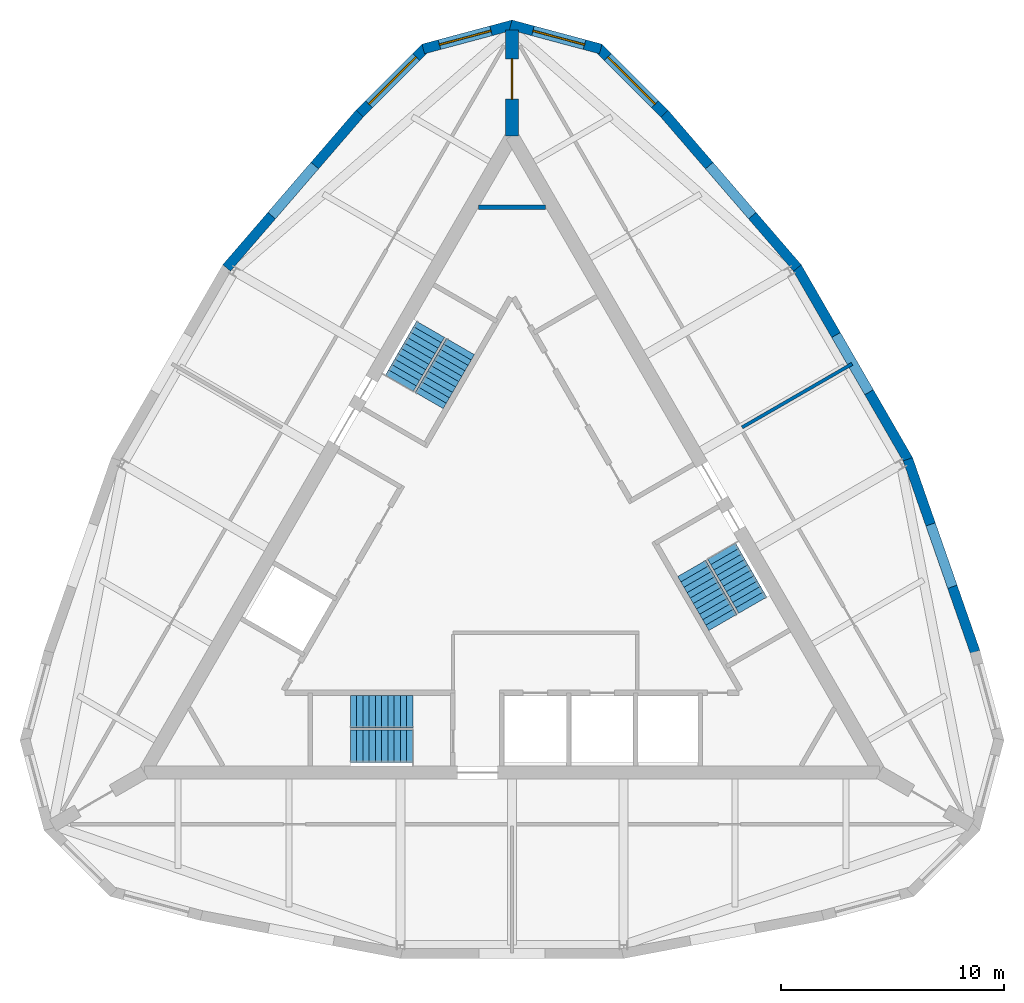
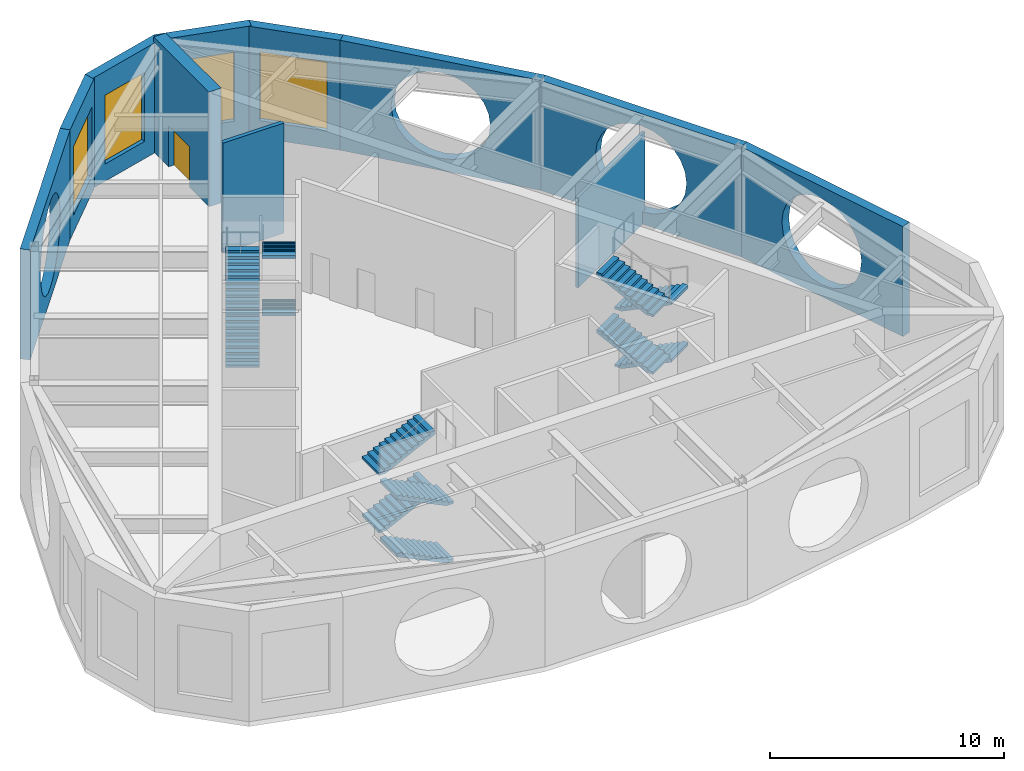
# One storey, part 4 of 5: 12 stair flights, 11 walls, 4 windows, 1 door, 5 openings, 3 elements without a shape of their own.
"""IFC4 building model written with IfcOpenShell, lengths in metres."""

from ifc_helpers import new_model, si_unit, direction, frame, frame_2d, origin, place, context, subcontext, project, spatial, polyline, rectangle, outline, extrude, material, layer, layer_set, type_object, element, fill, aggregate, save


model = new_model("IFC4")

# Units and contexts
model_context = context("Model", 3, precision=1e-05, world=origin(), true_north=direction((0.0, 1.0)))
body_context = subcontext(model_context, "Body", "Model", "MODEL_VIEW")
ifc_project = project(units=[si_unit("LENGTHUNIT", "METRE"), si_unit("AREAUNIT", "SQUARE_METRE"), si_unit("VOLUMEUNIT", "CUBIC_METRE"), si_unit("PLANEANGLEUNIT", "RADIAN"), si_unit("MASSUNIT", "GRAM", prefix="KILO")], contexts=[model_context])

# Site, building, storey
site_placement = place(None, origin())
site = spatial("IfcSite", under=ifc_project, at=site_placement, CompositionType="ELEMENT")
building_placement = place(site_placement, origin())
building = spatial("IfcBuilding", under=site, at=building_placement, Name="Trikona Tower", CompositionType="ELEMENT")
storey_placement = place(building_placement, frame((0.0, 0.0, 297.800048828125)))
storey = spatial("IfcBuildingStorey", under=building, at=storey_placement, Name="L77", CompositionType="ELEMENT", Elevation=297.800048828125)

# Wall, opening, window
ifc_material_1 = material(Name="Brick-faced precast concrete", Category="masonry")
ifc_layer_1 = layer(ifc_material_1, 0.449951171875)
ifc_layer_set_1 = layer_set([ifc_layer_1], Name="Brick-faced corner wall 450")
wall_type_1 = type_object("IfcWallType", Name="Brick-faced corner wall 450", PredefinedType="SOLIDWALL", material=ifc_layer_set_1)
wall_1_placement = place(storey_placement, frame((6.8408203125, 20.048095703125, 0.0), z_axis=(0.0, 0.0, 1.0), x_axis=(-0.707106781187, 0.707106781187, 0.0)))
wall_1 = element("IfcWall", 1, at=wall_1_placement, inside=storey, type_object=wall_type_1, Name="External wall L77-10", PredefinedType="SOLIDWALL", context=body_context, shape_type="SweptSolid", body=[
    extrude(rectangle(XDim=4.183837890625, YDim=0.449951171875, at=frame_2d((2.091796875, 0.0))), origin(), (0.0, 0.0, 1.0), 5.75),
])
opening_1_placement = place(wall_1_placement, frame((0.592041015625, 0.0, 0.89990234375)))
opening_1 = element("IfcOpeningElement", 2, at=opening_1_placement, cuts=wall_1, Name="Opening W3036", PredefinedType="OPENING", context=body_context, shape_type="SweptSolid", body=[
    extrude(rectangle(XDim=3.0, YDim=3.60009765625, at=frame_2d((1.5, 1.800048828125))), frame((0.0, 0.23486328125, 0.0), z_axis=(0.0, -1.0, 0.0), x_axis=(1.0, 0.0, 0.0)), (0.0, 0.0, 1.0), 0.469970703125),
])
ifc_material_2 = material(Name="Aluminium-framed double glazing", Category="aluminium")
window_type_1 = type_object("IfcWindowType", Name="Window 3000x3600", PartitioningType="SINGLE_PANEL", PredefinedType="WINDOW", material=ifc_material_2)
window_1_placement = place(opening_1_placement, origin())
window_1 = element("IfcWindow", 3, at=window_1_placement, inside=storey, type_object=window_type_1, Name="Window L77-CTW", OverallHeight=3.60009765625, OverallWidth=3.0, PartitioningType="SINGLE_PANEL", PredefinedType="WINDOW", context=body_context, shape_type="SweptSolid", body=[
    extrude(rectangle(XDim=3.0, YDim=3.60009765625, at=frame_2d((1.5, 1.800048828125))), frame((0.0, 0.030029296875, 0.0), z_axis=(0.0, -1.0, 0.0), x_axis=(1.0, 0.0, 0.0)), (0.0, 0.0, 1.0), 0.06005859375),
])
fill(opening_1, window_1)

wall_2_placement = place(storey_placement, frame((3.9833984375, 22.948486328125, 0.0), z_axis=(0.0, 0.0, 1.0), x_axis=(-0.965920442324, 0.258839137498, 0.0)))
wall_2 = element("IfcWall", 4, at=wall_2_placement, inside=storey, type_object=wall_type_1, Name="External wall L77-11", PredefinedType="SOLIDWALL", context=body_context, shape_type="SweptSolid", body=[
    extrude(outline(polyline([(4.18408203125, 0.22509765625), (4.124267578125, 0.22509765625), (3.77783203125, 0.132080078125), (3.753173828125, 0.22509765625), (0.0, 0.22509765625), (0.0, -0.22509765625), (4.18408203125, -0.22509765625), (4.18408203125, 0.22509765625)])), origin(), (0.0, 0.0, 1.0), 5.75),
])
opening_2_placement = place(wall_2_placement, frame((0.75146484375, 0.0, 0.89990234375)))
opening_2 = element("IfcOpeningElement", 5, at=opening_2_placement, cuts=wall_2, Name="Opening W2436", PredefinedType="OPENING", context=body_context, shape_type="SweptSolid", body=[
    extrude(rectangle(XDim=2.39990234375, YDim=3.60009765625, at=frame_2d((1.199951171875, 1.800048828125))), frame((0.0, 0.23486328125, 0.0), z_axis=(0.0, -1.0, 0.0), x_axis=(1.0, 0.0, 0.0)), (0.0, 0.0, 1.0), 0.469970703125),
])
ifc_material_3 = material(Name="Aluminium-framed double glazing", Category="aluminium")
window_type_2 = type_object("IfcWindowType", Name="Window 2400x3600", PartitioningType="SINGLE_PANEL", PredefinedType="WINDOW", material=ifc_material_3)
window_2_placement = place(opening_2_placement, origin())
window_2 = element("IfcWindow", 6, at=window_2_placement, inside=storey, type_object=window_type_2, Name="Window L77-CTW", OverallHeight=3.60009765625, OverallWidth=2.39990234375, PartitioningType="SINGLE_PANEL", PredefinedType="WINDOW", context=body_context, shape_type="SweptSolid", body=[
    extrude(rectangle(XDim=2.39990234375, YDim=3.60009765625, at=frame_2d((1.199951171875, 1.800048828125))), frame((0.0, 0.030029296875, 0.0), z_axis=(0.0, -1.0, 0.0), x_axis=(1.0, 0.0, 0.0)), (0.0, 0.0, 1.0), 0.06005859375),
])
fill(opening_2, window_2)

wall_3_placement = place(storey_placement, frame((0.05810546875, 24.031494140625, 0.0), z_axis=(0.0, 0.0, 1.0), x_axis=(-0.965920442324, -0.258839137498, 0.0)))
wall_3 = element("IfcWall", 7, at=wall_3_placement, inside=storey, type_object=wall_type_1, Name="External wall L77-12", PredefinedType="SOLIDWALL", context=body_context, shape_type="SweptSolid", body=[
    extrude(outline(polyline([(4.18408203125, 0.22509765625), (0.430908203125, 0.22509765625), (0.40625, 0.132080078125), (0.059814453125, 0.22509765625), (0.0, 0.22509765625), (0.0, -0.22509765625), (4.18408203125, -0.22509765625), (4.18408203125, 0.22509765625)])), origin(), (0.0, 0.0, 1.0), 5.75),
])
opening_3_placement = place(wall_3_placement, frame((1.03271484375, 0.0, 0.89990234375)))
opening_3 = element("IfcOpeningElement", 8, at=opening_3_placement, cuts=wall_3, Name="Opening W2436", PredefinedType="OPENING", context=body_context, shape_type="SweptSolid", body=[
    extrude(rectangle(XDim=2.39990234375, YDim=3.60009765625, at=frame_2d((1.199951171875, 1.800048828125))), frame((0.0, 0.23486328125, 0.0), z_axis=(0.0, -1.0, 0.0), x_axis=(1.0, 0.0, 0.0)), (0.0, 0.0, 1.0), 0.469970703125),
])
window_3_placement = place(opening_3_placement, origin())
window_3 = element("IfcWindow", 9, at=window_3_placement, inside=storey, type_object=window_type_2, Name="Window L77-WT2", OverallHeight=3.60009765625, OverallWidth=2.39990234375, PartitioningType="SINGLE_PANEL", PredefinedType="WINDOW", context=body_context, shape_type="SweptSolid", body=[
    extrude(rectangle(XDim=2.39990234375, YDim=3.60009765625, at=frame_2d((1.199951171875, 1.800048828125))), frame((0.0, 0.030029296875, 0.0), z_axis=(0.0, -1.0, 0.0), x_axis=(1.0, 0.0, 0.0)), (0.0, 0.0, 1.0), 0.06005859375),
])
fill(opening_3, window_3)

wall_4_placement = place(storey_placement, frame((-3.88232421875, 23.006591796875, 0.0), z_axis=(0.0, 0.0, 1.0), x_axis=(-0.707106781187, -0.707106781187, 0.0)))
wall_4 = element("IfcWall", 10, at=wall_4_placement, inside=storey, type_object=wall_type_1, Name="External wall L77-13", PredefinedType="SOLIDWALL", context=body_context, shape_type="SweptSolid", body=[
    extrude(rectangle(XDim=4.183837890625, YDim=0.449951171875, at=frame_2d((2.091796875, 0.0))), origin(), (0.0, 0.0, 1.0), 5.75),
])
opening_4_placement = place(wall_4_placement, frame((0.592041015625, 0.0, 0.89990234375)))
opening_4 = element("IfcOpeningElement", 11, at=opening_4_placement, cuts=wall_4, Name="Opening W3036", PredefinedType="OPENING", context=body_context, shape_type="SweptSolid", body=[
    extrude(rectangle(XDim=3.0, YDim=3.60009765625, at=frame_2d((1.5, 1.800048828125))), frame((0.0, 0.23486328125, 0.0), z_axis=(0.0, -1.0, 0.0), x_axis=(1.0, 0.0, 0.0)), (0.0, 0.0, 1.0), 0.469970703125),
])
window_4_placement = place(opening_4_placement, origin())
window_4 = element("IfcWindow", 12, at=window_4_placement, inside=storey, type_object=window_type_1, Name="Window L77-WT2", OverallHeight=3.60009765625, OverallWidth=3.0, PartitioningType="SINGLE_PANEL", PredefinedType="WINDOW", context=body_context, shape_type="SweptSolid", body=[
    extrude(rectangle(XDim=3.0, YDim=3.60009765625, at=frame_2d((1.5, 1.800048828125))), frame((0.0, 0.030029296875, 0.0), z_axis=(0.0, -1.0, 0.0), x_axis=(1.0, 0.0, 0.0)), (0.0, 0.0, 1.0), 0.06005859375),
])
fill(opening_4, window_4)

# Walls
ifc_material_4 = material(Name="Brick-faced precast concrete with louvred openings", Category="masonry")
ifc_layer_2 = layer(ifc_material_4, 0.449951171875)
ifc_layer_set_2 = layer_set([ifc_layer_2], Name="Brick-faced plant wall 450")
wall_type_2 = type_object("IfcWallType", Name="Brick-faced plant wall 450", PredefinedType="SOLIDWALL", material=ifc_layer_set_2)
wall_5_placement = place(storey_placement, frame((20.78759765625, -4.11572265625, 0.0), z_axis=(0.0, 0.0, 1.0), x_axis=(-0.329547852357, 0.944138873793, 0.0)))
element("IfcWall", 13, at=wall_5_placement, inside=storey, type_object=wall_type_2, Name="External wall L77-07", PredefinedType="SOLIDWALL", context=body_context, shape_type="SweptSolid", body=[
    extrude(outline(polyline([(0.0, 0.0), (9.1611328125, 0.0), (9.1611328125, 5.75), (0.0, 5.75), (0.0, 0.0)]), holes=[polyline([(6.83056640625, 2.875), (6.75390625, 3.457275390625), (6.529052734375, 4.0), (6.17138671875, 4.466064453125), (5.70556640625, 4.823486328125), (5.162841796875, 5.04833984375), (4.58056640625, 5.125), (3.998291015625, 5.04833984375), (3.45556640625, 4.823486328125), (2.989501953125, 4.466064453125), (2.632080078125, 4.0), (2.4072265625, 3.457275390625), (2.33056640625, 2.875), (2.4072265625, 2.292724609375), (2.632080078125, 1.75), (2.989501953125, 1.283935546875), (3.45556640625, 0.92626953125), (3.998291015625, 0.70166015625), (4.58056640625, 0.625), (5.162841796875, 0.70166015625), (5.70556640625, 0.92626953125), (6.17138671875, 1.283935546875), (6.529052734375, 1.75), (6.75390625, 2.292724609375), (6.83056640625, 2.875)])]), frame((0.0, 0.22509765625, 0.0), z_axis=(0.0, -1.0, 0.0), x_axis=(1.0, 0.0, 0.0)), (0.0, 0.0, 1.0), 0.449951171875),
])
wall_6_placement = place(storey_placement, frame((17.785888671875, 4.495361328125, 0.0), z_axis=(0.0, 0.0, 1.0), x_axis=(-0.500004234368, 0.866022959057, 0.0)))
element("IfcWall", 14, at=wall_6_placement, inside=storey, type_object=wall_type_2, Name="External wall L77-08", PredefinedType="SOLIDWALL", context=body_context, shape_type="SweptSolid", body=[
    extrude(outline(polyline([(0.0, 0.0), (10.0, 0.0), (10.0, 5.75), (0.0, 5.75), (0.0, 0.0)]), holes=[polyline([(7.25, 2.875), (7.17333984375, 3.457275390625), (6.948486328125, 4.0), (6.591064453125, 4.466064453125), (6.125, 4.823486328125), (5.582275390625, 5.04833984375), (5.0, 5.125), (4.41748046875, 5.04833984375), (3.875, 4.823486328125), (3.408935546875, 4.466064453125), (3.051513671875, 4.0), (2.82666015625, 3.457275390625), (2.75, 2.875), (2.82666015625, 2.292724609375), (3.051513671875, 1.75), (3.408935546875, 1.283935546875), (3.875, 0.92626953125), (4.41748046875, 0.70166015625), (5.0, 0.625), (5.582275390625, 0.70166015625), (6.125, 0.92626953125), (6.591064453125, 1.283935546875), (6.948486328125, 1.75), (7.17333984375, 2.292724609375), (7.25, 2.875)])]), frame((0.0, 0.22509765625, 0.0), z_axis=(0.0, -1.0, 0.0), x_axis=(1.0, 0.0, 0.0)), (0.0, 0.0, 1.0), 0.449951171875),
])
for number, where, z_axis, x_axis, name in (
    (15, (12.810546875, 13.12109375, 0.0), (0.0, 0.0, 1.0), (-0.652869504194, 0.757470402388, 0.0), "External wall L77-09"),
    (16, (-6.82958984375, 20.060302734375, 0.0), (0.0, 0.0, 1.0), (-0.652869504194, -0.757470402388, 0.0), "External wall L77-14"),
):
    element("IfcWall", number, at=place(storey_placement, frame(where, z_axis=z_axis, x_axis=x_axis)), inside=storey, type_object=wall_type_2, Name=name, PredefinedType="SOLIDWALL", context=body_context, shape_type="SweptSolid", body=[
        extrude(outline(polyline([(0.0, 0.0), (9.1611328125, 0.0), (9.1611328125, 5.75), (0.0, 5.75), (0.0, 0.0)]), holes=[polyline([(6.83056640625, 2.875), (6.75390625, 3.457275390625), (6.529052734375, 4.0), (6.17138671875, 4.466064453125), (5.70556640625, 4.823486328125), (5.162841796875, 5.04833984375), (4.58056640625, 5.125), (3.998291015625, 5.04833984375), (3.45556640625, 4.823486328125), (2.989501953125, 4.466064453125), (2.632080078125, 4.0), (2.4072265625, 3.457275390625), (2.33056640625, 2.875), (2.4072265625, 2.292724609375), (2.632080078125, 1.75), (2.989501953125, 1.283935546875), (3.45556640625, 0.92626953125), (3.998291015625, 0.70166015625), (4.58056640625, 0.625), (5.162841796875, 0.70166015625), (5.70556640625, 0.92626953125), (6.17138671875, 1.283935546875), (6.529052734375, 1.75), (6.75390625, 2.292724609375), (6.83056640625, 2.875)])]), frame((0.0, 0.22509765625, 0.0), z_axis=(0.0, -1.0, 0.0), x_axis=(1.0, 0.0, 0.0)), (0.0, 0.0, 1.0), 0.449951171875),
    ])

# Wall, opening, door
ifc_material_5 = material(Name="Concrete f'c 10000 psi", Category="concrete")
ifc_layer_3 = layer(ifc_material_5, 0.60009765625)
ifc_layer_set_3 = layer_set([ifc_layer_3], Name="Buttress wall 600")
wall_type_3 = type_object("IfcWallType", Name="Buttress wall 600", PredefinedType="SHEAR", material=ifc_layer_set_3)
wall_7_placement = place(storey_placement, frame((0.0, 19.052490234375, 0.0), z_axis=(0.0, 0.0, 1.0), x_axis=(0.0, 1.0, 0.0)))
wall_7 = element("IfcWall", 17, at=wall_7_placement, inside=storey, type_object=wall_type_3, Name="Buttress wall 2", PredefinedType="SHEAR", context=body_context, shape_type="SweptSolid", body=[
    extrude(rectangle(XDim=4.74609375, YDim=0.60009765625, at=frame_2d((2.373046875, 0.0))), origin(), (0.0, 0.0, 1.0), 6.0),
])
opening_5_placement = place(wall_7_placement, frame((1.64990234375, 0.0, 0.0)))
opening_5 = element("IfcOpeningElement", 18, at=opening_5_placement, cuts=wall_7, Name="Opening D10", PredefinedType="OPENING", context=body_context, shape_type="SweptSolid", body=[
    extrude(rectangle(XDim=1.800048828125, YDim=2.1298828125, at=frame_2d((0.89990234375, 1.06494140625))), frame((0.0, 0.31005859375, 0.0), z_axis=(0.0, -1.0, 0.0), x_axis=(1.0, 0.0, 0.0)), (0.0, 0.0, 1.0), 0.6201171875),
])
ifc_material_6 = material(Name="Hollow metal door and frame", Category="steel")
door_type = type_object("IfcDoorType", Name="Cross-corridor door pair 1800x2130", OperationType="DOUBLE_DOOR_DOUBLE_SWING", PredefinedType="DOOR", material=ifc_material_6)
door_placement = place(opening_5_placement, origin())
door = element("IfcDoor", 19, at=door_placement, inside=storey, type_object=door_type, Name="Cross-corridor door 2", OperationType="DOUBLE_DOOR_DOUBLE_SWING", OverallHeight=2.1298828125, OverallWidth=1.800048828125, PredefinedType="DOOR", context=body_context, shape_type="SweptSolid", body=[
    extrude(rectangle(XDim=1.800048828125, YDim=2.1298828125, at=frame_2d((0.89990234375, 1.06494140625))), frame((0.0, 0.02490234375, 0.0), z_axis=(0.0, -1.0, 0.0), x_axis=(1.0, 0.0, 0.0)), (0.0, 0.0, 1.0), 0.050048828125),
])
fill(opening_5, door)

# Walls
ifc_material_7 = material(Name="Metal stud and gypsum board, 1-hour acoustic", Category="gypsum")
ifc_layer_4 = layer(ifc_material_7, 0.14990234375)
ifc_layer_set_4 = layer_set([ifc_layer_4], Name="Party wall 150")
wall_type_4 = type_object("IfcWallType", Name="Party wall 150", PredefinedType="PARTITIONING", material=ifc_layer_set_4)
wall_8_placement = place(storey_placement, frame((10.32861328125, 5.963134765625, 0.0), z_axis=(0.0, 0.0, 1.0), x_axis=(0.86601224135, 0.500022797313, 0.0)))
element("IfcWall", 20, at=wall_8_placement, inside=storey, type_object=wall_type_4, Name="Partition L77 F2 u0", PredefinedType="PARTITIONING", context=body_context, shape_type="SweptSolid", body=[
    extrude(rectangle(XDim=5.699462890625, YDim=0.14990234375, at=frame_2d((2.849609375, 0.0))), origin(), (0.0, 0.0, 1.0), 4.70849609375),
])
ifc_material_8 = material(Name="Concrete f'c 8000 psi", Category="concrete")
ifc_layer_5 = layer(ifc_material_8, 0.199951171875)
ifc_layer_set_5 = layer_set([ifc_layer_5], Name="Shaft wall 200")
wall_type_5 = type_object("IfcWallType", Name="Shaft wall 200", PredefinedType="SOLIDWALL", material=ifc_layer_set_5)
wall_9_placement = place(storey_placement, frame((-1.501220703125, 15.8525390625, 0.0), z_axis=(0.0, 0.0, 1.0), x_axis=(1.0, 0.0, 0.0)))
element("IfcWall", 21, at=wall_9_placement, inside=storey, type_object=wall_type_5, Name="Riser wall L77-RS2", PredefinedType="SOLIDWALL", context=body_context, shape_type="SweptSolid", body=[
    extrude(rectangle(XDim=3.00244140625, YDim=0.199951171875, at=frame_2d((1.501220703125, 0.0))), origin(), (0.0, 0.0, 1.0), 5.75),
])

# Stair, stair flights
ifc_material_9 = material(Name="Concrete f'c 5000 psi", Category="concrete")
stair_type = type_object("IfcStairType", Name="Core stair", PredefinedType="HALF_TURN_STAIR", material=ifc_material_9)
stair_1_placement = place(storey_placement, origin())
stair_1 = element("IfcStair", 22, at=stair_1_placement, inside=storey, type_object=stair_type, Name="Stair A L77", PredefinedType="HALF_TURN_STAIR")
ifc_material_10 = material(Name="Concrete f'c 5000 psi", Category="concrete")
stair_flight_type = type_object("IfcStairFlightType", Name="Core stair flight 1450", PredefinedType="STRAIGHT", material=ifc_material_10)
stair_flight_1_placement = place(storey_placement, frame((-4.449951171875, -8.351318359375, 0.0), z_axis=(0.0, 0.0, 1.0), x_axis=(-1.0, 0.0, 0.0)))
stair_flight_1 = element("IfcStairFlight", 23, at=stair_flight_1_placement, type_object=stair_flight_type, Name="ST-A flight 1", NumberOfRisers=11, NumberOfTreads=10, PredefinedType="STRAIGHT", RiserHeight=0.136364, TreadLength=0.28, context=body_context, shape_type="SweptSolid", body=[
    extrude(outline(polyline([(0.0, 0.0), (0.0, 0.136474609375), (0.280029296875, 0.136474609375), (0.280029296875, 0.272705078125), (0.56005859375, 0.272705078125), (0.56005859375, 0.4091796875), (0.840087890625, 0.4091796875), (0.840087890625, 0.54541015625), (1.1201171875, 0.54541015625), (1.1201171875, 0.681884765625), (1.39990234375, 0.681884765625), (1.39990234375, 0.818115234375), (1.679931640625, 0.818115234375), (1.679931640625, 0.95458984375), (1.9599609375, 0.95458984375), (1.9599609375, 1.0908203125), (2.239990234375, 1.0908203125), (2.239990234375, 1.227294921875), (2.52001953125, 1.227294921875), (2.52001953125, 1.363525390625), (2.800048828125, 1.363525390625), (2.800048828125, 1.5), (2.800048828125, 1.197021484375), (0.34228515625, 0.0), (0.0, 0.0)])), frame((0.0, 0.72509765625, 0.0), z_axis=(0.0, -1.0, 0.0), x_axis=(1.0, 0.0, 0.0)), (0.0, 0.0, 1.0), 1.449951171875),
])
stair_flight_2_placement = place(storey_placement, frame((-7.25, -6.80126953125, 1.5), z_axis=(0.0, 0.0, 1.0), x_axis=(1.0, 0.0, 0.0)))
stair_flight_2 = element("IfcStairFlight", 24, at=stair_flight_2_placement, type_object=stair_flight_type, Name="ST-A flight 2", NumberOfRisers=11, NumberOfTreads=10, PredefinedType="STRAIGHT", RiserHeight=0.136364, TreadLength=0.28, context=body_context, shape_type="SweptSolid", body=[
    extrude(outline(polyline([(0.0, 0.0), (0.0, 0.136474609375), (0.280029296875, 0.136474609375), (0.280029296875, 0.272705078125), (0.56005859375, 0.272705078125), (0.56005859375, 0.4091796875), (0.840087890625, 0.4091796875), (0.840087890625, 0.54541015625), (1.1201171875, 0.54541015625), (1.1201171875, 0.681884765625), (1.39990234375, 0.681884765625), (1.39990234375, 0.818115234375), (1.679931640625, 0.818115234375), (1.679931640625, 0.95458984375), (1.9599609375, 0.95458984375), (1.9599609375, 1.0908203125), (2.239990234375, 1.0908203125), (2.239990234375, 1.227294921875), (2.52001953125, 1.227294921875), (2.52001953125, 1.363525390625), (2.800048828125, 1.363525390625), (2.800048828125, 1.5), (2.800048828125, 1.197021484375), (0.34228515625, 0.0), (0.0, 0.0)])), frame((0.0, 0.72509765625, 0.0), z_axis=(0.0, -1.0, 0.0), x_axis=(1.0, 0.0, 0.0)), (0.0, 0.0, 1.0), 1.449951171875),
])
stair_flight_3_placement = place(storey_placement, frame((-4.449951171875, -8.351318359375, 3.0), z_axis=(0.0, 0.0, 1.0), x_axis=(-1.0, 0.0, 0.0)))
stair_flight_3 = element("IfcStairFlight", 25, at=stair_flight_3_placement, type_object=stair_flight_type, Name="ST-A flight 3", NumberOfRisers=11, NumberOfTreads=10, PredefinedType="STRAIGHT", RiserHeight=0.136364, TreadLength=0.28, context=body_context, shape_type="SweptSolid", body=[
    extrude(outline(polyline([(0.0, 0.0), (0.0, 0.136474609375), (0.280029296875, 0.136474609375), (0.280029296875, 0.272705078125), (0.56005859375, 0.272705078125), (0.56005859375, 0.4091796875), (0.840087890625, 0.4091796875), (0.840087890625, 0.54541015625), (1.1201171875, 0.54541015625), (1.1201171875, 0.681884765625), (1.39990234375, 0.681884765625), (1.39990234375, 0.818115234375), (1.679931640625, 0.818115234375), (1.679931640625, 0.95458984375), (1.9599609375, 0.95458984375), (1.9599609375, 1.0908203125), (2.239990234375, 1.0908203125), (2.239990234375, 1.227294921875), (2.52001953125, 1.227294921875), (2.52001953125, 1.363525390625), (2.800048828125, 1.363525390625), (2.800048828125, 1.5), (2.800048828125, 1.197021484375), (0.34228515625, 0.0), (0.0, 0.0)])), frame((0.0, 0.72509765625, 0.0), z_axis=(0.0, -1.0, 0.0), x_axis=(1.0, 0.0, 0.0)), (0.0, 0.0, 1.0), 1.449951171875),
])
stair_flight_4_placement = place(storey_placement, frame((-7.25, -6.80126953125, 4.5), z_axis=(0.0, 0.0, 1.0), x_axis=(1.0, 0.0, 0.0)))
stair_flight_4 = element("IfcStairFlight", 26, at=stair_flight_4_placement, type_object=stair_flight_type, Name="ST-A flight 4", NumberOfRisers=11, NumberOfTreads=10, PredefinedType="STRAIGHT", RiserHeight=0.136364, TreadLength=0.28, context=body_context, shape_type="SweptSolid", body=[
    extrude(outline(polyline([(0.0, 0.0), (0.0, 0.136474609375), (0.280029296875, 0.136474609375), (0.280029296875, 0.272705078125), (0.56005859375, 0.272705078125), (0.56005859375, 0.4091796875), (0.840087890625, 0.4091796875), (0.840087890625, 0.54541015625), (1.1201171875, 0.54541015625), (1.1201171875, 0.681884765625), (1.39990234375, 0.681884765625), (1.39990234375, 0.818115234375), (1.679931640625, 0.818115234375), (1.679931640625, 0.95458984375), (1.9599609375, 0.95458984375), (1.9599609375, 1.0908203125), (2.239990234375, 1.0908203125), (2.239990234375, 1.227294921875), (2.52001953125, 1.227294921875), (2.52001953125, 1.363525390625), (2.800048828125, 1.363525390625), (2.800048828125, 1.5), (2.800048828125, 1.197021484375), (0.34228515625, 0.0), (0.0, 0.0)])), frame((0.0, 0.72509765625, 0.0), z_axis=(0.0, -1.0, 0.0), x_axis=(1.0, 0.0, 0.0)), (0.0, 0.0, 1.0), 1.449951171875),
])
aggregate(stair_1, [stair_flight_1, stair_flight_2, stair_flight_3, stair_flight_4])

stair_2_placement = place(storey_placement, origin())
stair_2 = element("IfcStair", 27, at=stair_2_placement, inside=storey, type_object=stair_type, Name="Stair B L77", PredefinedType="HALF_TURN_STAIR")
stair_flight_5_placement = place(storey_placement, frame((9.407470703125, 0.408447265625, 0.0), z_axis=(0.0, 0.0, 1.0), x_axis=(0.5, -0.866025403784, 0.0)))
stair_flight_5 = element("IfcStairFlight", 28, at=stair_flight_5_placement, type_object=stair_flight_type, Name="ST-B flight 1", NumberOfRisers=11, NumberOfTreads=10, PredefinedType="STRAIGHT", RiserHeight=0.136364, TreadLength=0.28, context=body_context, shape_type="SweptSolid", body=[
    extrude(outline(polyline([(0.0, 0.0), (0.0, 0.136474609375), (0.280029296875, 0.136474609375), (0.280029296875, 0.272705078125), (0.56005859375, 0.272705078125), (0.56005859375, 0.4091796875), (0.840087890625, 0.4091796875), (0.840087890625, 0.54541015625), (1.1201171875, 0.54541015625), (1.1201171875, 0.681884765625), (1.39990234375, 0.681884765625), (1.39990234375, 0.818115234375), (1.679931640625, 0.818115234375), (1.679931640625, 0.95458984375), (1.9599609375, 0.95458984375), (1.9599609375, 1.0908203125), (2.239990234375, 1.0908203125), (2.239990234375, 1.227294921875), (2.52001953125, 1.227294921875), (2.52001953125, 1.363525390625), (2.800048828125, 1.363525390625), (2.800048828125, 1.5), (2.800048828125, 1.197021484375), (0.34228515625, 0.0), (0.0, 0.0)])), frame((0.0, 0.72509765625, 0.0), z_axis=(0.0, -1.0, 0.0), x_axis=(1.0, 0.0, 0.0)), (0.0, 0.0, 1.0), 1.449951171875),
])
stair_flight_6_placement = place(storey_placement, frame((9.465087890625, -2.79150390625, 1.5), z_axis=(0.0, 0.0, 1.0), x_axis=(-0.5, 0.866025403784, 0.0)))
stair_flight_6 = element("IfcStairFlight", 29, at=stair_flight_6_placement, type_object=stair_flight_type, Name="ST-B flight 2", NumberOfRisers=11, NumberOfTreads=10, PredefinedType="STRAIGHT", RiserHeight=0.136364, TreadLength=0.28, context=body_context, shape_type="SweptSolid", body=[
    extrude(outline(polyline([(0.0, 0.0), (0.0, 0.136474609375), (0.280029296875, 0.136474609375), (0.280029296875, 0.272705078125), (0.56005859375, 0.272705078125), (0.56005859375, 0.4091796875), (0.840087890625, 0.4091796875), (0.840087890625, 0.54541015625), (1.1201171875, 0.54541015625), (1.1201171875, 0.681884765625), (1.39990234375, 0.681884765625), (1.39990234375, 0.818115234375), (1.679931640625, 0.818115234375), (1.679931640625, 0.95458984375), (1.9599609375, 0.95458984375), (1.9599609375, 1.0908203125), (2.239990234375, 1.0908203125), (2.239990234375, 1.227294921875), (2.52001953125, 1.227294921875), (2.52001953125, 1.363525390625), (2.800048828125, 1.363525390625), (2.800048828125, 1.5), (2.800048828125, 1.197021484375), (0.34228515625, 0.0), (0.0, 0.0)])), frame((0.0, 0.72509765625, 0.0), z_axis=(0.0, -1.0, 0.0), x_axis=(1.0, 0.0, 0.0)), (0.0, 0.0, 1.0), 1.449951171875),
])
stair_flight_7_placement = place(storey_placement, frame((9.407470703125, 0.408447265625, 3.0), z_axis=(0.0, 0.0, 1.0), x_axis=(0.5, -0.866025403784, 0.0)))
stair_flight_7 = element("IfcStairFlight", 30, at=stair_flight_7_placement, type_object=stair_flight_type, Name="ST-B flight 3", NumberOfRisers=11, NumberOfTreads=10, PredefinedType="STRAIGHT", RiserHeight=0.136364, TreadLength=0.28, context=body_context, shape_type="SweptSolid", body=[
    extrude(outline(polyline([(0.0, 0.0), (0.0, 0.136474609375), (0.280029296875, 0.136474609375), (0.280029296875, 0.272705078125), (0.56005859375, 0.272705078125), (0.56005859375, 0.4091796875), (0.840087890625, 0.4091796875), (0.840087890625, 0.54541015625), (1.1201171875, 0.54541015625), (1.1201171875, 0.681884765625), (1.39990234375, 0.681884765625), (1.39990234375, 0.818115234375), (1.679931640625, 0.818115234375), (1.679931640625, 0.95458984375), (1.9599609375, 0.95458984375), (1.9599609375, 1.0908203125), (2.239990234375, 1.0908203125), (2.239990234375, 1.227294921875), (2.52001953125, 1.227294921875), (2.52001953125, 1.363525390625), (2.800048828125, 1.363525390625), (2.800048828125, 1.5), (2.800048828125, 1.197021484375), (0.34228515625, 0.0), (0.0, 0.0)])), frame((0.0, 0.72509765625, 0.0), z_axis=(0.0, -1.0, 0.0), x_axis=(1.0, 0.0, 0.0)), (0.0, 0.0, 1.0), 1.449951171875),
])
stair_flight_8_placement = place(storey_placement, frame((9.465087890625, -2.79150390625, 4.5), z_axis=(0.0, 0.0, 1.0), x_axis=(-0.5, 0.866025403784, 0.0)))
stair_flight_8 = element("IfcStairFlight", 31, at=stair_flight_8_placement, type_object=stair_flight_type, Name="ST-B flight 4", NumberOfRisers=11, NumberOfTreads=10, PredefinedType="STRAIGHT", RiserHeight=0.136364, TreadLength=0.28, context=body_context, shape_type="SweptSolid", body=[
    extrude(outline(polyline([(0.0, 0.0), (0.0, 0.136474609375), (0.280029296875, 0.136474609375), (0.280029296875, 0.272705078125), (0.56005859375, 0.272705078125), (0.56005859375, 0.4091796875), (0.840087890625, 0.4091796875), (0.840087890625, 0.54541015625), (1.1201171875, 0.54541015625), (1.1201171875, 0.681884765625), (1.39990234375, 0.681884765625), (1.39990234375, 0.818115234375), (1.679931640625, 0.818115234375), (1.679931640625, 0.95458984375), (1.9599609375, 0.95458984375), (1.9599609375, 1.0908203125), (2.239990234375, 1.0908203125), (2.239990234375, 1.227294921875), (2.52001953125, 1.227294921875), (2.52001953125, 1.363525390625), (2.800048828125, 1.363525390625), (2.800048828125, 1.5), (2.800048828125, 1.197021484375), (0.34228515625, 0.0), (0.0, 0.0)])), frame((0.0, 0.72509765625, 0.0), z_axis=(0.0, -1.0, 0.0), x_axis=(1.0, 0.0, 0.0)), (0.0, 0.0, 1.0), 1.449951171875),
])
aggregate(stair_2, [stair_flight_5, stair_flight_6, stair_flight_7, stair_flight_8])

stair_3_placement = place(storey_placement, origin())
stair_3 = element("IfcStair", 32, at=stair_3_placement, inside=storey, type_object=stair_type, Name="Stair C L77", PredefinedType="HALF_TURN_STAIR")
stair_flight_9_placement = place(storey_placement, frame((-5.057373046875, 7.94287109375, 0.0), z_axis=(0.0, 0.0, 1.0), x_axis=(0.5, 0.866025403784, 0.0)))
stair_flight_9 = element("IfcStairFlight", 33, at=stair_flight_9_placement, type_object=stair_flight_type, Name="ST-C flight 1", NumberOfRisers=11, NumberOfTreads=10, PredefinedType="STRAIGHT", RiserHeight=0.136364, TreadLength=0.28, context=body_context, shape_type="SweptSolid", body=[
    extrude(outline(polyline([(0.0, 0.0), (0.0, 0.136474609375), (0.280029296875, 0.136474609375), (0.280029296875, 0.272705078125), (0.56005859375, 0.272705078125), (0.56005859375, 0.4091796875), (0.840087890625, 0.4091796875), (0.840087890625, 0.54541015625), (1.1201171875, 0.54541015625), (1.1201171875, 0.681884765625), (1.39990234375, 0.681884765625), (1.39990234375, 0.818115234375), (1.679931640625, 0.818115234375), (1.679931640625, 0.95458984375), (1.9599609375, 0.95458984375), (1.9599609375, 1.0908203125), (2.239990234375, 1.0908203125), (2.239990234375, 1.227294921875), (2.52001953125, 1.227294921875), (2.52001953125, 1.363525390625), (2.800048828125, 1.363525390625), (2.800048828125, 1.5), (2.800048828125, 1.197021484375), (0.34228515625, 0.0), (0.0, 0.0)])), frame((0.0, 0.72509765625, 0.0), z_axis=(0.0, -1.0, 0.0), x_axis=(1.0, 0.0, 0.0)), (0.0, 0.0, 1.0), 1.449951171875),
])
stair_flight_10_placement = place(storey_placement, frame((-2.315185546875, 9.5927734375, 1.5), z_axis=(0.0, 0.0, 1.0), x_axis=(-0.5, -0.866025403784, 0.0)))
stair_flight_10 = element("IfcStairFlight", 34, at=stair_flight_10_placement, type_object=stair_flight_type, Name="ST-C flight 2", NumberOfRisers=11, NumberOfTreads=10, PredefinedType="STRAIGHT", RiserHeight=0.136364, TreadLength=0.28, context=body_context, shape_type="SweptSolid", body=[
    extrude(outline(polyline([(0.0, 0.0), (0.0, 0.136474609375), (0.280029296875, 0.136474609375), (0.280029296875, 0.272705078125), (0.56005859375, 0.272705078125), (0.56005859375, 0.4091796875), (0.840087890625, 0.4091796875), (0.840087890625, 0.54541015625), (1.1201171875, 0.54541015625), (1.1201171875, 0.681884765625), (1.39990234375, 0.681884765625), (1.39990234375, 0.818115234375), (1.679931640625, 0.818115234375), (1.679931640625, 0.95458984375), (1.9599609375, 0.95458984375), (1.9599609375, 1.0908203125), (2.239990234375, 1.0908203125), (2.239990234375, 1.227294921875), (2.52001953125, 1.227294921875), (2.52001953125, 1.363525390625), (2.800048828125, 1.363525390625), (2.800048828125, 1.5), (2.800048828125, 1.197021484375), (0.34228515625, 0.0), (0.0, 0.0)])), frame((0.0, 0.72509765625, 0.0), z_axis=(0.0, -1.0, 0.0), x_axis=(1.0, 0.0, 0.0)), (0.0, 0.0, 1.0), 1.449951171875),
])
stair_flight_11_placement = place(storey_placement, frame((-5.057373046875, 7.94287109375, 3.0), z_axis=(0.0, 0.0, 1.0), x_axis=(0.5, 0.866025403784, 0.0)))
stair_flight_11 = element("IfcStairFlight", 35, at=stair_flight_11_placement, type_object=stair_flight_type, Name="ST-C flight 3", NumberOfRisers=11, NumberOfTreads=10, PredefinedType="STRAIGHT", RiserHeight=0.136364, TreadLength=0.28, context=body_context, shape_type="SweptSolid", body=[
    extrude(outline(polyline([(0.0, 0.0), (0.0, 0.136474609375), (0.280029296875, 0.136474609375), (0.280029296875, 0.272705078125), (0.56005859375, 0.272705078125), (0.56005859375, 0.4091796875), (0.840087890625, 0.4091796875), (0.840087890625, 0.54541015625), (1.1201171875, 0.54541015625), (1.1201171875, 0.681884765625), (1.39990234375, 0.681884765625), (1.39990234375, 0.818115234375), (1.679931640625, 0.818115234375), (1.679931640625, 0.95458984375), (1.9599609375, 0.95458984375), (1.9599609375, 1.0908203125), (2.239990234375, 1.0908203125), (2.239990234375, 1.227294921875), (2.52001953125, 1.227294921875), (2.52001953125, 1.363525390625), (2.800048828125, 1.363525390625), (2.800048828125, 1.5), (2.800048828125, 1.197021484375), (0.34228515625, 0.0), (0.0, 0.0)])), frame((0.0, 0.72509765625, 0.0), z_axis=(0.0, -1.0, 0.0), x_axis=(1.0, 0.0, 0.0)), (0.0, 0.0, 1.0), 1.449951171875),
])
stair_flight_12_placement = place(storey_placement, frame((-2.315185546875, 9.5927734375, 4.5), z_axis=(0.0, 0.0, 1.0), x_axis=(-0.5, -0.866025403784, 0.0)))
stair_flight_12 = element("IfcStairFlight", 36, at=stair_flight_12_placement, type_object=stair_flight_type, Name="ST-C flight 4", NumberOfRisers=11, NumberOfTreads=10, PredefinedType="STRAIGHT", RiserHeight=0.136364, TreadLength=0.28, context=body_context, shape_type="SweptSolid", body=[
    extrude(outline(polyline([(0.0, 0.0), (0.0, 0.136474609375), (0.280029296875, 0.136474609375), (0.280029296875, 0.272705078125), (0.56005859375, 0.272705078125), (0.56005859375, 0.4091796875), (0.840087890625, 0.4091796875), (0.840087890625, 0.54541015625), (1.1201171875, 0.54541015625), (1.1201171875, 0.681884765625), (1.39990234375, 0.681884765625), (1.39990234375, 0.818115234375), (1.679931640625, 0.818115234375), (1.679931640625, 0.95458984375), (1.9599609375, 0.95458984375), (1.9599609375, 1.0908203125), (2.239990234375, 1.0908203125), (2.239990234375, 1.227294921875), (2.52001953125, 1.227294921875), (2.52001953125, 1.363525390625), (2.800048828125, 1.363525390625), (2.800048828125, 1.5), (2.800048828125, 1.197021484375), (0.34228515625, 0.0), (0.0, 0.0)])), frame((0.0, 0.72509765625, 0.0), z_axis=(0.0, -1.0, 0.0), x_axis=(1.0, 0.0, 0.0)), (0.0, 0.0, 1.0), 1.449951171875),
])
aggregate(stair_3, [stair_flight_9, stair_flight_10, stair_flight_11, stair_flight_12])

save(model, "model.ifc")
